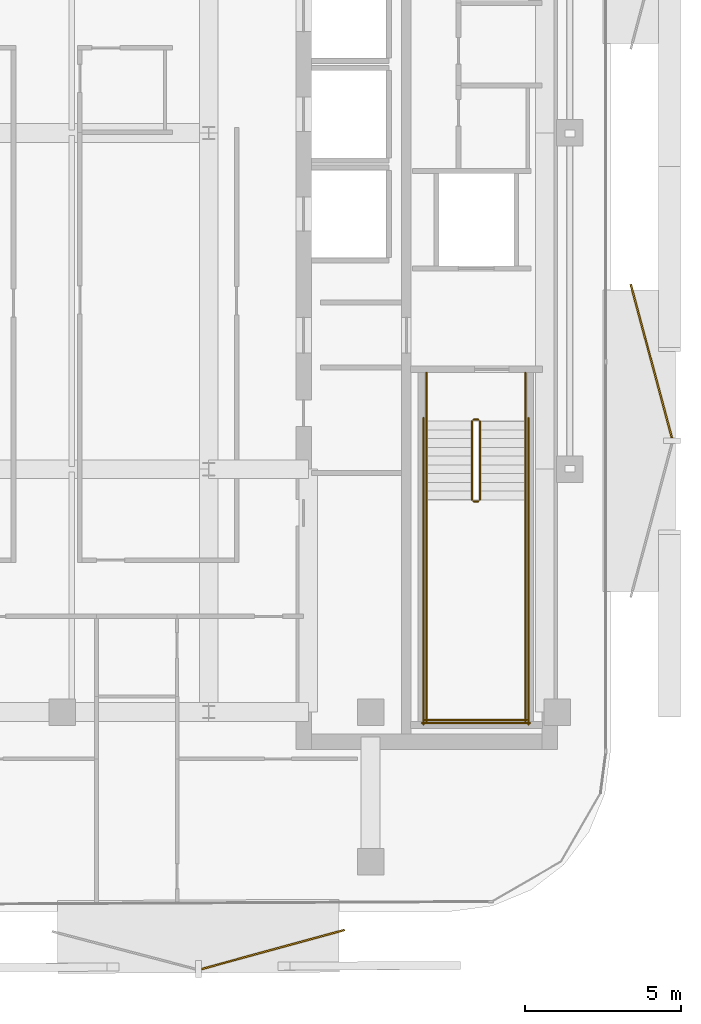
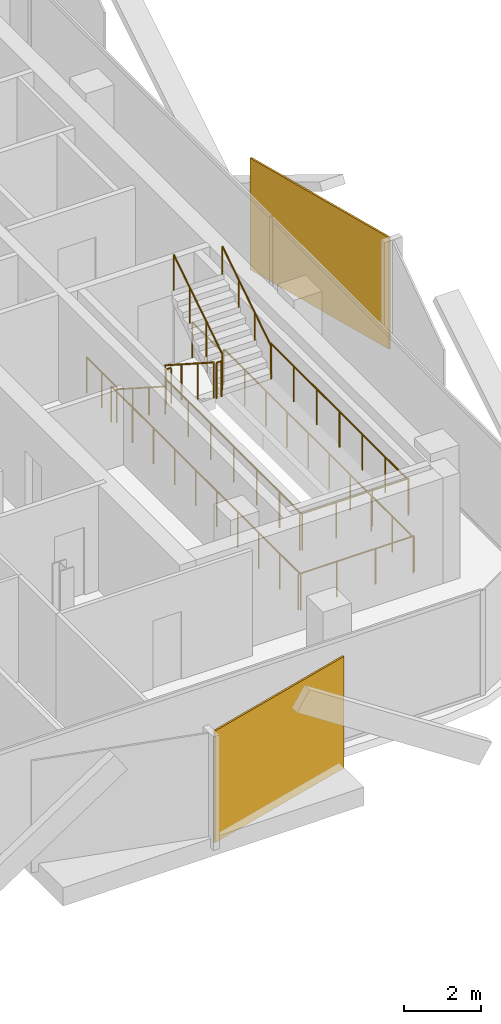
# One storey, part 14 of 15: 14 railings, 2 coverings.
"""IFC4 building model written with IfcOpenShell, lengths in metres."""

from ifc_helpers import new_model, si_unit, direction, frame, origin, origin_2d, place, context, subcontext, project, spatial, rectangle, circle, extrude, material, layer, layer_set, type_object, element, save


model = new_model("IFC4")

# Units and contexts
model_context = context("Model", 3, precision=1e-05, world=origin(), true_north=direction((0.0, 1.0)))
body_context = subcontext(model_context, "Body", "Model", "MODEL_VIEW")
ifc_project = project(units=[si_unit("LENGTHUNIT", "METRE"), si_unit("AREAUNIT", "SQUARE_METRE"), si_unit("VOLUMEUNIT", "CUBIC_METRE"), si_unit("PLANEANGLEUNIT", "RADIAN"), si_unit("MASSUNIT", "GRAM", prefix="KILO")], contexts=[model_context])

# Site, building, storey
site_placement = place(None, origin())
site = spatial("IfcSite", under=ifc_project, at=site_placement, CompositionType="ELEMENT")
building_placement = place(site_placement, origin())
building = spatial("IfcBuilding", under=site, at=building_placement, Name="Khairoan Windgate Tower", CompositionType="ELEMENT")
storey_placement = place(building_placement, frame((0.0, 0.0, 254.800048828125)))
storey = spatial("IfcBuildingStorey", under=building, at=storey_placement, Name="L60", CompositionType="ELEMENT", Elevation=254.800048828125)

# Coverings
ifc_material_1 = material(Name="Anodised Bronze Aluminium 6063-T6", Category="aluminium")
ifc_layer = layer(ifc_material_1, 0.054931640625, Name="Anodised Bronze Aluminium 6063-T6")
ifc_layer_set = layer_set([ifc_layer], Name="Anodised Bronze Aluminium 6063-T6")
covering_type = type_object("IfcCoveringType", Name="Perforated Bronze-Ceramic Folded Solar Screen Cladding BSC-1", PredefinedType="CLADDING", material=ifc_layer_set)
covering_1_placement = place(storey_placement, frame((11.264404296875, -26.226806640625, -0.10009765625), z_axis=(0.0, 0.0, 1.0), x_axis=(-0.964649468762, -0.263536339841, 0.0)))
element("IfcCovering", 1, at=covering_1_placement, inside=storey, type_object=covering_type, Name="L60 Folded Bronze Solar Screen Facet 409L", PredefinedType="CLADDING", context=body_context, shape_type="SweptSolid", body=[
    extrude(rectangle(XDim=4.76708984375, YDim=0.054931640625, at=origin_2d()), origin(), (0.0, 0.0, 1.0), 3.5400390625),
])
covering_2_placement = place(storey_placement, frame((23.419189453125, -7.33154296875, -0.10009765625), z_axis=(0.0, 0.0, 1.0), x_axis=(0.258819045103, -0.965925826289, 0.0)))
element("IfcCovering", 2, at=covering_2_placement, inside=storey, type_object=covering_type, Name="L60 Folded Bronze Solar Screen Facet 416L", PredefinedType="CLADDING", context=body_context, shape_type="SweptSolid", body=[
    extrude(rectangle(XDim=5.10595703125, YDim=0.054931640625, at=origin_2d()), origin(), (0.0, 0.0, 1.0), 3.5400390625),
])

# Railings
ifc_material_2 = material(Name="Anodised Bronze Aluminium 6063-T6", Category="aluminium")
railing_type_1 = type_object("IfcRailingType", Name="Stair Wall Handrail SHR-900", PredefinedType="HANDRAIL", material=ifc_material_2)
railing_1_placement = place(storey_placement, frame((16.199951171875, -9.260009765625, 0.179931640625)))
element("IfcRailing", 3, at=railing_1_placement, inside=storey, type_object=railing_type_1, Name="L60 ST1 stair handrail 1", PredefinedType="HANDRAIL", context=body_context, shape_type="SweptSolid", body=[
    extrude(circle(Radius=0.02392578125, at=origin_2d()), frame((0.0, 0.0, 0.8759765625), z_axis=(0.0, -0.841162588446, 0.540782303519), x_axis=(1.0, 0.0, 0.0)), (0.0, 0.0, 1.0), 2.995849609375),
    extrude(circle(Radius=0.02099609375, at=origin_2d()), origin(), (0.0, 0.0, 1.0), 0.851806640625),
    extrude(circle(Radius=0.02099609375, at=origin_2d()), frame((0.0, -0.840087890625, 0.5400390625)), (0.0, 0.0, 1.0), 0.851806640625),
    extrude(circle(Radius=0.02099609375, at=origin_2d()), frame((0.0, -1.679931640625, 1.080078125)), (0.0, 0.0, 1.0), 0.851806640625),
    extrude(circle(Radius=0.02099609375, at=origin_2d()), frame((0.0, -2.52001953125, 1.6201171875)), (0.0, 0.0, 1.0), 0.851806640625),
])
railing_2_placement = place(storey_placement, frame((19.3701171875, -11.780029296875, 1.97998046875)))
element("IfcRailing", 4, at=railing_2_placement, inside=storey, type_object=railing_type_1, Name="L60 ST1 stair handrail 2", PredefinedType="HANDRAIL", context=body_context, shape_type="SweptSolid", body=[
    extrude(circle(Radius=0.02392578125, at=origin_2d()), frame((0.0, 0.0, 0.8759765625), z_axis=(0.0, 0.841199657755, 0.540724639528), x_axis=(-1.0, 0.0, 0.0)), (0.0, 0.0, 1.0), 2.995849609375),
    extrude(circle(Radius=0.02099609375, at=origin_2d()), origin(), (0.0, 0.0, 1.0), 0.851806640625),
    extrude(circle(Radius=0.02099609375, at=origin_2d()), frame((0.0, 0.840087890625, 0.5400390625)), (0.0, 0.0, 1.0), 0.851806640625),
    extrude(circle(Radius=0.02099609375, at=origin_2d()), frame((0.0, 1.679931640625, 1.079833984375)), (0.0, 0.0, 1.0), 0.851806640625),
    extrude(circle(Radius=0.02099609375, at=origin_2d()), frame((0.0, 2.52001953125, 1.619873046875)), (0.0, 0.0, 1.0), 0.851806640625),
])
ifc_material_3 = material(Name="Steel S355", Category="steel")
railing_type_2 = type_object("IfcRailingType", Name="Stairwell Safety Guardrail SGR-1150", PredefinedType="GUARDRAIL", material=ifc_material_3)
railing_3_placement = place(storey_placement, frame((17.659912109375, -9.260009765625, 0.179931640625)))
element("IfcRailing", 5, at=railing_3_placement, inside=storey, type_object=railing_type_2, Name="L60 ST1 stair guard 1", PredefinedType="GUARDRAIL", context=body_context, shape_type="SweptSolid", body=[
    extrude(circle(Radius=0.02392578125, at=origin_2d()), frame((0.0, 0.0, 1.1259765625), z_axis=(0.0, -0.841162588446, 0.540782303519), x_axis=(1.0, 0.0, 0.0)), (0.0, 0.0, 1.0), 2.995849609375),
    extrude(circle(Radius=0.02099609375, at=origin_2d()), origin(), (0.0, 0.0, 1.0), 1.101806640625),
    extrude(circle(Radius=0.02099609375, at=origin_2d()), frame((0.0, -0.840087890625, 0.5400390625)), (0.0, 0.0, 1.0), 1.101806640625),
    extrude(circle(Radius=0.02099609375, at=origin_2d()), frame((0.0, -1.679931640625, 1.080078125)), (0.0, 0.0, 1.0), 1.101806640625),
    extrude(circle(Radius=0.02099609375, at=origin_2d()), frame((0.0, -2.52001953125, 1.6201171875)), (0.0, 0.0, 1.0), 1.101806640625),
])
railing_4_placement = place(storey_placement, frame((17.7099609375, -11.830078125, 1.800048828125)))
element("IfcRailing", 6, at=railing_4_placement, inside=storey, type_object=railing_type_2, Name="L60 ST1 stair guard 2", PredefinedType="GUARDRAIL", context=body_context, shape_type="SweptSolid", body=[
    extrude(circle(Radius=0.02392578125, at=origin_2d()), frame((0.0, 0.0, 1.1259765625), z_axis=(1.0, 0.0, 0.0), x_axis=(0.0, 1.0, 0.0)), (0.0, 0.0, 1.0), 0.150146484375),
    extrude(circle(Radius=0.02099609375, at=origin_2d()), origin(), (0.0, 0.0, 1.0), 1.101806640625),
    extrude(circle(Radius=0.02099609375, at=origin_2d()), frame((0.150146484375, 0.0, 0.0)), (0.0, 0.0, 1.0), 1.101806640625),
])
for number, where, name in (
    (7, (16.199951171875, -11.780029296875, 1.800048828125), "L60 ST1 stair guard 3"),
    (8, (19.3701171875, -11.780029296875, 1.800048828125), "L60 ST1 stair guard 4"),
):
    element("IfcRailing", number, at=place(storey_placement, frame(where)), inside=storey, type_object=railing_type_2, Name=name, PredefinedType="GUARDRAIL", context=body_context, shape_type="SweptSolid", body=[
        extrude(circle(Radius=0.02392578125, at=origin_2d()), frame((0.0, 0.0, 1.1259765625), z_axis=(0.0, -1.0, 0.0), x_axis=(1.0, 0.0, 0.0)), (0.0, 0.0, 1.0), 7.119873046875),
        extrude(circle(Radius=0.02099609375, at=origin_2d()), origin(), (0.0, 0.0, 1.0), 1.101806640625),
        extrude(circle(Radius=0.02099609375, at=origin_2d()), frame((0.0, -1.1865234375, 0.0)), (0.0, 0.0, 1.0), 1.101806640625),
        extrude(circle(Radius=0.02099609375, at=origin_2d()), frame((0.0, -2.373291015625, 0.0)), (0.0, 0.0, 1.0), 1.101806640625),
        extrude(circle(Radius=0.02099609375, at=origin_2d()), frame((0.0, -3.56005859375, 0.0)), (0.0, 0.0, 1.0), 1.101806640625),
        extrude(circle(Radius=0.02099609375, at=origin_2d()), frame((0.0, -4.74658203125, 0.0)), (0.0, 0.0, 1.0), 1.101806640625),
        extrude(circle(Radius=0.02099609375, at=origin_2d()), frame((0.0, -5.93310546875, 0.0)), (0.0, 0.0, 1.0), 1.101806640625),
        extrude(circle(Radius=0.02099609375, at=origin_2d()), frame((0.0, -7.119873046875, 0.0)), (0.0, 0.0, 1.0), 1.101806640625),
    ])
railing_5_placement = place(storey_placement, frame((16.14990234375, -18.85009765625, 1.800048828125)))
element("IfcRailing", 9, at=railing_5_placement, inside=storey, type_object=railing_type_2, Name="L60 ST1 stair guard 5", PredefinedType="GUARDRAIL", context=body_context, shape_type="SweptSolid", body=[
    extrude(circle(Radius=0.02392578125, at=origin_2d()), frame((0.0, 0.0, 1.1259765625), z_axis=(1.0, 0.0, 0.0), x_axis=(0.0, 1.0, 0.0)), (0.0, 0.0, 1.0), 3.27001953125),
    extrude(circle(Radius=0.02099609375, at=origin_2d()), origin(), (0.0, 0.0, 1.0), 1.101806640625),
    extrude(circle(Radius=0.02099609375, at=origin_2d()), frame((1.090087890625, 0.0, 0.0)), (0.0, 0.0, 1.0), 1.101806640625),
    extrude(circle(Radius=0.02099609375, at=origin_2d()), frame((2.179931640625, 0.0, 0.0)), (0.0, 0.0, 1.0), 1.101806640625),
    extrude(circle(Radius=0.02099609375, at=origin_2d()), frame((3.27001953125, 0.0, 0.0)), (0.0, 0.0, 1.0), 1.101806640625),
])
railing_6_placement = place(storey_placement, frame((17.909912109375, -11.780029296875, 1.97998046875)))
element("IfcRailing", 10, at=railing_6_placement, inside=storey, type_object=railing_type_2, Name="L60 ST1 stair guard 6", PredefinedType="GUARDRAIL", context=body_context, shape_type="SweptSolid", body=[
    extrude(circle(Radius=0.02392578125, at=origin_2d()), frame((0.0, 0.0, 1.1259765625), z_axis=(0.0, 0.841199657755, 0.540724639528), x_axis=(-1.0, 0.0, 0.0)), (0.0, 0.0, 1.0), 2.995849609375),
    extrude(circle(Radius=0.02099609375, at=origin_2d()), origin(), (0.0, 0.0, 1.0), 1.101806640625),
    extrude(circle(Radius=0.02099609375, at=origin_2d()), frame((0.0, 0.840087890625, 0.5400390625)), (0.0, 0.0, 1.0), 1.101806640625),
    extrude(circle(Radius=0.02099609375, at=origin_2d()), frame((0.0, 1.679931640625, 1.079833984375)), (0.0, 0.0, 1.0), 1.101806640625),
    extrude(circle(Radius=0.02099609375, at=origin_2d()), frame((0.0, 2.52001953125, 1.619873046875)), (0.0, 0.0, 1.0), 1.101806640625),
])
railing_7_placement = place(storey_placement, frame((17.7099609375, -9.2099609375, 0.0)))
element("IfcRailing", 11, at=railing_7_placement, inside=storey, type_object=railing_type_2, Name="L60 ST1 stair guard 7", PredefinedType="GUARDRAIL", context=body_context, shape_type="SweptSolid", body=[
    extrude(circle(Radius=0.02392578125, at=origin_2d()), frame((0.0, 0.0, 1.1259765625), z_axis=(1.0, 0.0, 0.0), x_axis=(0.0, 1.0, 0.0)), (0.0, 0.0, 1.0), 0.150146484375),
    extrude(circle(Radius=0.02099609375, at=origin_2d()), origin(), (0.0, 0.0, 1.0), 1.101806640625),
    extrude(circle(Radius=0.02099609375, at=origin_2d()), frame((0.150146484375, 0.0, 0.0)), (0.0, 0.0, 1.0), 1.101806640625),
])
for number, where, name in (
    (12, (16.199951171875, -7.699951171875, 0.0), "L60 ST1 stair guard 8"),
    (13, (19.3701171875, -7.699951171875, 0.0), "L60 ST1 stair guard 9"),
):
    element("IfcRailing", number, at=place(storey_placement, frame(where)), inside=storey, type_object=railing_type_2, Name=name, PredefinedType="GUARDRAIL", context=body_context, shape_type="SweptSolid", body=[
        extrude(circle(Radius=0.02392578125, at=origin_2d()), frame((0.0, 0.0, 1.1259765625), z_axis=(0.0, -1.0, 0.0), x_axis=(1.0, 0.0, 0.0)), (0.0, 0.0, 1.0), 1.56005859375),
        extrude(circle(Radius=0.02099609375, at=origin_2d()), origin(), (0.0, 0.0, 1.0), 1.101806640625),
        extrude(circle(Radius=0.02099609375, at=origin_2d()), frame((0.0, -0.780029296875, 0.0)), (0.0, 0.0, 1.0), 1.101806640625),
        extrude(circle(Radius=0.02099609375, at=origin_2d()), frame((0.0, -1.56005859375, 0.0)), (0.0, 0.0, 1.0), 1.101806640625),
    ])
for number, where, name in (
    (14, (16.10009765625, -9.159912109375, 0.0), "L60 ST1 stair guard 10"),
    (15, (19.469970703125, -9.159912109375, 0.0), "L60 ST1 stair guard 11"),
):
    element("IfcRailing", number, at=place(storey_placement, frame(where)), inside=storey, type_object=railing_type_2, Name=name, PredefinedType="GUARDRAIL", context=body_context, shape_type="SweptSolid", body=[
        extrude(circle(Radius=0.02392578125, at=origin_2d()), frame((0.0, 0.0, 1.1259765625), z_axis=(0.0, -1.0, 0.0), x_axis=(1.0, 0.0, 0.0)), (0.0, 0.0, 1.0), 9.840087890625),
        extrude(circle(Radius=0.02099609375, at=origin_2d()), origin(), (0.0, 0.0, 1.0), 1.101806640625),
        extrude(circle(Radius=0.02099609375, at=origin_2d()), frame((0.0, -1.09326171875, 0.0)), (0.0, 0.0, 1.0), 1.101806640625),
        extrude(circle(Radius=0.02099609375, at=origin_2d()), frame((0.0, -2.186767578125, 0.0)), (0.0, 0.0, 1.0), 1.101806640625),
        extrude(circle(Radius=0.02099609375, at=origin_2d()), frame((0.0, -3.280029296875, 0.0)), (0.0, 0.0, 1.0), 1.101806640625),
        extrude(circle(Radius=0.02099609375, at=origin_2d()), frame((0.0, -4.373291015625, 0.0)), (0.0, 0.0, 1.0), 1.101806640625),
        extrude(circle(Radius=0.02099609375, at=origin_2d()), frame((0.0, -5.466796875, 0.0)), (0.0, 0.0, 1.0), 1.101806640625),
        extrude(circle(Radius=0.02099609375, at=origin_2d()), frame((0.0, -6.56005859375, 0.0)), (0.0, 0.0, 1.0), 1.101806640625),
        extrude(circle(Radius=0.02099609375, at=origin_2d()), frame((0.0, -7.6533203125, 0.0)), (0.0, 0.0, 1.0), 1.101806640625),
        extrude(circle(Radius=0.02099609375, at=origin_2d()), frame((0.0, -8.746826171875, 0.0)), (0.0, 0.0, 1.0), 1.101806640625),
        extrude(circle(Radius=0.02099609375, at=origin_2d()), frame((0.0, -9.840087890625, 0.0)), (0.0, 0.0, 1.0), 1.101806640625),
    ])
railing_8_placement = place(storey_placement, frame((16.050048828125, -18.949951171875, 0.0)))
element("IfcRailing", 16, at=railing_8_placement, inside=storey, type_object=railing_type_2, Name="L60 ST1 stair guard 12", PredefinedType="GUARDRAIL", context=body_context, shape_type="SweptSolid", body=[
    extrude(circle(Radius=0.02392578125, at=origin_2d()), frame((0.0, 0.0, 1.1259765625), z_axis=(1.0, 0.0, 0.0), x_axis=(0.0, 1.0, 0.0)), (0.0, 0.0, 1.0), 3.469970703125),
    extrude(circle(Radius=0.02099609375, at=origin_2d()), origin(), (0.0, 0.0, 1.0), 1.101806640625),
    extrude(circle(Radius=0.02099609375, at=origin_2d()), frame((1.15673828125, 0.0, 0.0)), (0.0, 0.0, 1.0), 1.101806640625),
    extrude(circle(Radius=0.02099609375, at=origin_2d()), frame((2.313232421875, 0.0, 0.0)), (0.0, 0.0, 1.0), 1.101806640625),
    extrude(circle(Radius=0.02099609375, at=origin_2d()), frame((3.469970703125, 0.0, 0.0)), (0.0, 0.0, 1.0), 1.101806640625),
])

save(model, "model.ifc")
